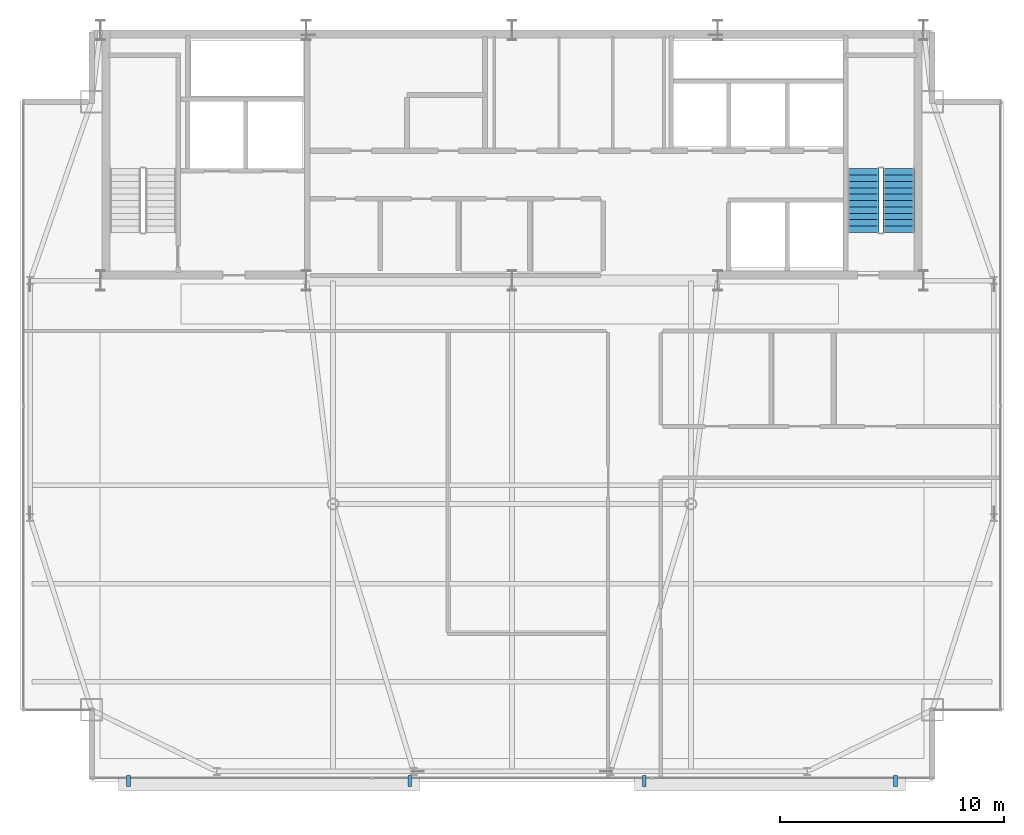
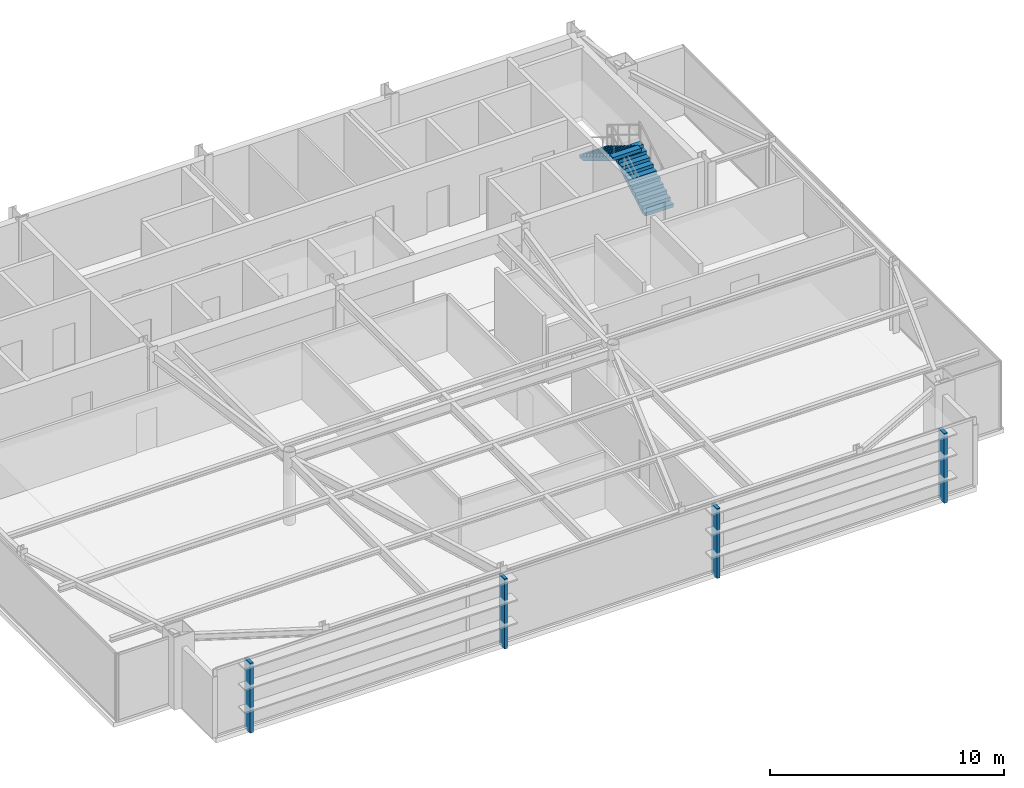
# One storey, part 23 of 24: 4 discrete accessories, 2 stair flights, 1 element without a shape of its own.
"""IFC4 building model written with IfcOpenShell, lengths in metres."""

from ifc_helpers import new_model, si_unit, direction, frame, origin, origin_2d, place, context, subcontext, project, spatial, polyline, rectangle, outline, extrude, source, transform, mapped, material, layer, layer_set, type_object, type_shapes, element, aggregate, save


model = new_model("IFC4")

# Units and contexts
model_context = context("Model", 3, precision=1e-05, world=origin(), true_north=direction((0.0, 1.0)))
body_context = subcontext(model_context, "Body", "Model", "MODEL_VIEW")
ifc_project = project(units=[si_unit("LENGTHUNIT", "METRE"), si_unit("AREAUNIT", "SQUARE_METRE"), si_unit("VOLUMEUNIT", "CUBIC_METRE"), si_unit("PLANEANGLEUNIT", "RADIAN"), si_unit("MASSUNIT", "GRAM", prefix="KILO")], contexts=[model_context])

# Site, building, storey
site_placement = place(None, origin())
site = spatial("IfcSite", under=ifc_project, at=site_placement, CompositionType="ELEMENT")
building_placement = place(site_placement, origin())
building = spatial("IfcBuilding", under=site, at=building_placement, Name="Varnel Quay Broadcast Tower", CompositionType="ELEMENT")
storey_placement = place(building_placement, frame((0.0, 0.0, 269.800048828125)))
storey = spatial("IfcBuildingStorey", under=building, at=storey_placement, Name="L67", CompositionType="ELEMENT", Elevation=269.800048828125)

# Stair, stair flights
ifc_material_1 = material(Name="Precast Structural Concrete C40/50", Category="concrete")
stair_type = type_object("IfcStairType", Name="Stair_ST-02", PredefinedType="HALF_TURN_STAIR", material=ifc_material_1)
stair_placement = place(storey_placement, origin())
stair = element("IfcStair", 1, at=stair_placement, inside=storey, type_object=stair_type, Name="L67 East Core Exit Stair 2", PredefinedType="HALF_TURN_STAIR")
stair_flight_type = type_object("IfcStairFlightType", Name="Flight_ST-02", PredefinedType="STRAIGHT", material=ifc_material_1)
stair_flight_1_placement = place(storey_placement, frame((51.300048828125, 37.75, 0.0), z_axis=(0.0, 0.0, 1.0), x_axis=(0.0, 1.0, 0.0)))
stair_flight_1 = element("IfcStairFlight", 2, at=stair_flight_1_placement, type_object=stair_flight_type, Name="ST-02 flight 1", NumberOfRisers=11, NumberOfTreads=10, PredefinedType="STRAIGHT", RiserHeight=0.172727273, TreadLength=0.285, context=body_context, shape_type="SweptSolid", body=[
    extrude(outline(polyline([(0.0, 0.0), (0.0, 0.172607421875), (0.284912109375, 0.172607421875), (0.284912109375, 0.345458984375), (0.570068359375, 0.345458984375), (0.570068359375, 0.51806640625), (0.85498046875, 0.51806640625), (0.85498046875, 0.69091796875), (1.139892578125, 0.69091796875), (1.139892578125, 0.863525390625), (1.425048828125, 0.863525390625), (1.425048828125, 1.036376953125), (1.7099609375, 1.036376953125), (1.7099609375, 1.208984375), (1.9951171875, 1.208984375), (1.9951171875, 1.3818359375), (2.280029296875, 1.3818359375), (2.280029296875, 1.554443359375), (2.56494140625, 1.554443359375), (2.56494140625, 1.727294921875), (2.85009765625, 1.727294921875), (2.85009765625, 1.89990234375), (2.85009765625, 1.552001953125), (0.289306640625, 0.0), (0.0, 0.0)])), frame((0.0, 0.699951171875, 0.0), z_axis=(0.0, -1.0, 0.0), x_axis=(1.0, 0.0, 0.0)), (0.0, 0.0, 1.0), 1.39990234375),
])
stair_flight_2_placement = place(storey_placement, frame((49.699951171875, 40.60009765625, 1.89990234375), z_axis=(0.0, 0.0, 1.0), x_axis=(0.0, -1.0, 0.0)))
stair_flight_2 = element("IfcStairFlight", 3, at=stair_flight_2_placement, type_object=stair_flight_type, Name="ST-02 flight 2", NumberOfRisers=11, NumberOfTreads=10, PredefinedType="STRAIGHT", RiserHeight=0.172727273, TreadLength=0.285, context=body_context, shape_type="SweptSolid", body=[
    extrude(outline(polyline([(0.0, 0.0), (0.0, 0.172607421875), (0.284912109375, 0.172607421875), (0.284912109375, 0.345458984375), (0.570068359375, 0.345458984375), (0.570068359375, 0.51806640625), (0.85498046875, 0.51806640625), (0.85498046875, 0.69091796875), (1.139892578125, 0.69091796875), (1.139892578125, 0.863525390625), (1.425048828125, 0.863525390625), (1.425048828125, 1.036376953125), (1.7099609375, 1.036376953125), (1.7099609375, 1.208984375), (1.9951171875, 1.208984375), (1.9951171875, 1.3818359375), (2.280029296875, 1.3818359375), (2.280029296875, 1.554443359375), (2.56494140625, 1.554443359375), (2.56494140625, 1.727294921875), (2.85009765625, 1.727294921875), (2.85009765625, 1.89990234375), (2.85009765625, 1.552001953125), (0.289306640625, 0.0), (0.0, 0.0)])), frame((0.0, 0.699951171875, 0.0), z_axis=(0.0, -1.0, 0.0), x_axis=(1.0, 0.0, 0.0)), (0.0, 0.0, 1.0), 1.39990234375),
])
aggregate(stair, [stair_flight_1, stair_flight_2])

# Discrete accessories
ifc_material_2 = material(Name="Anodised Bronze Aluminium 6063-T6", Category="aluminium")
ifc_layer = layer(ifc_material_2, 0.47998046875, Name="Anodised Bronze Aluminium 6063-T6")
ifc_layer_set = layer_set([ifc_layer], Name="Anodised Bronze Aluminium 6063-T6")
discrete_accessory_type = type_object("IfcDiscreteAccessoryType", Name="Acc_FacadeBracket", PredefinedType="BRACKET", material=ifc_layer_set)
shared_shape = source(origin(), body_context, "Body", "SweptSolid", [
    extrude(rectangle(XDim=0.159912109375, YDim=0.47998046875, at=origin_2d()), origin(), (0.0, 0.0, 1.0), 3.64990234375),
])
type_shapes(discrete_accessory_type, [shared_shape])
for number, where, z_axis, x_axis, name in (
    (4, (16.85009765625, 13.219970703125, -0.14990234375), (0.0, 0.0, 1.0), (1.0, 0.0, 0.0), "L67 Lobe 1 Louvre Support Bracket 1"),
    (5, (29.4189453125, 13.219970703125, -0.14990234375), (0.0, 0.0, 1.0), (1.0, 0.0, 0.0), "L67 Lobe 1 Louvre Support Bracket 2"),
    (6, (39.9189453125, 13.219970703125, -0.14990234375), (0.0, 0.0, 1.0), (1.0, 0.0, 0.0), "L67 Lobe 2 Louvre Support Bracket 1"),
    (7, (51.14990234375, 13.219970703125, -0.14990234375), (0.0, 0.0, 1.0), (1.0, 0.0, 0.0), "L67 Lobe 2 Louvre Support Bracket 2"),
):
    element("IfcDiscreteAccessory", number, at=place(storey_placement, frame(where, z_axis=z_axis, x_axis=x_axis)), inside=storey, type_object=discrete_accessory_type, Name=name, PredefinedType="BRACKET", context=body_context, shape_type="MappedRepresentation", body=[
        mapped(shared_shape, transform((0.0, 0.0, 0.0), x_axis=(1.0, 0.0, 0.0), y_axis=(0.0, 1.0, 0.0), z_axis=(0.0, 0.0, 1.0), scale=1.0)),
    ])

save(model, "model.ifc")
